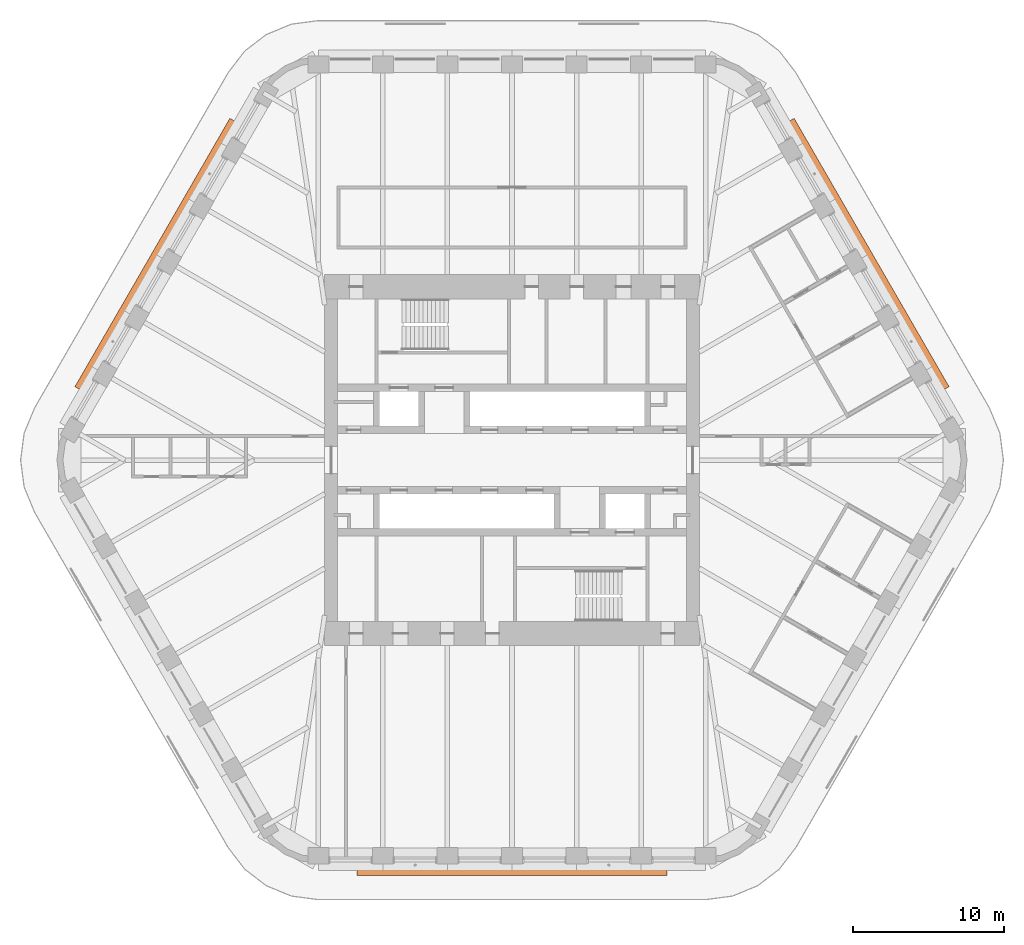
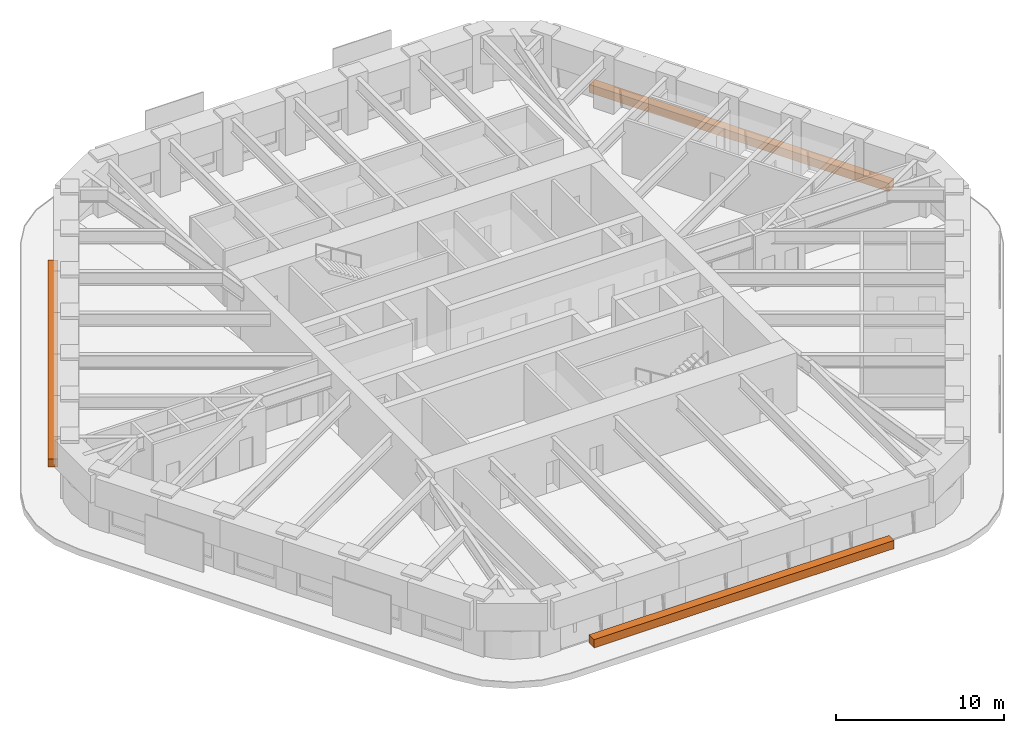
# One storey, part 18 of 18: 3 proxies.
"""IFC4 building model written with IfcOpenShell, lengths in metres."""

from ifc_helpers import new_model, si_unit, direction, frame, origin, origin_2d, place, context, subcontext, project, spatial, rectangle, extrude, material, element, save


model = new_model("IFC4")

# Units and contexts
model_context = context("Model", 3, precision=1e-05, world=origin(), true_north=direction((0.0, 1.0)))
body_context = subcontext(model_context, "Body", "Model", "MODEL_VIEW")
ifc_project = project(units=[si_unit("LENGTHUNIT", "METRE"), si_unit("AREAUNIT", "SQUARE_METRE"), si_unit("VOLUMEUNIT", "CUBIC_METRE"), si_unit("PLANEANGLEUNIT", "RADIAN"), si_unit("MASSUNIT", "GRAM", prefix="KILO")], contexts=[model_context])

# Site, building, storey
site_placement = place(None, origin())
site = spatial("IfcSite", under=ifc_project, at=site_placement, CompositionType="ELEMENT")
building_placement = place(site_placement, origin())
building = spatial("IfcBuilding", under=site, at=building_placement, Name="Tarfa Lantern Tower", CompositionType="ELEMENT")
storey_placement = place(building_placement, frame((0.0, 0.0, 319.89990234375)))
storey = spatial("IfcBuildingStorey", under=building, at=storey_placement, Name="L72", CompositionType="ELEMENT", Elevation=319.89990234375)

# Proxies
ifc_material = material(Name="Planting bed")
for number, where, z_axis, x_axis, name in (
    (1, (23.59912109375, 13.625, 0.0), (0.0, 0.0, 1.0), (-0.5, 0.866025403784, 0.0), "Ledge planter"),
    (2, (-23.59912109375, 13.625, 0.0), (0.0, 0.0, 1.0), (-0.5, -0.866025403784, 0.0), "Ledge planter"),
    (3, (0.0, -27.25, 0.0), (0.0, 0.0, 1.0), (1.0, 0.0, 0.0), "Ledge planter"),
):
    element("IfcBuildingElementProxy", number, at=place(storey_placement, frame(where, z_axis=z_axis, x_axis=x_axis)), inside=storey, material=ifc_material, Name=name, ObjectType="PLANTER", PredefinedType="USERDEFINED", context=body_context, shape_type="SweptSolid", body=[
        extrude(rectangle(XDim=20.5537109375, YDim=0.60009765625, at=origin_2d()), origin(), (0.0, 0.0, 1.0), 0.60009765625),
    ])

save(model, "model.ifc")
